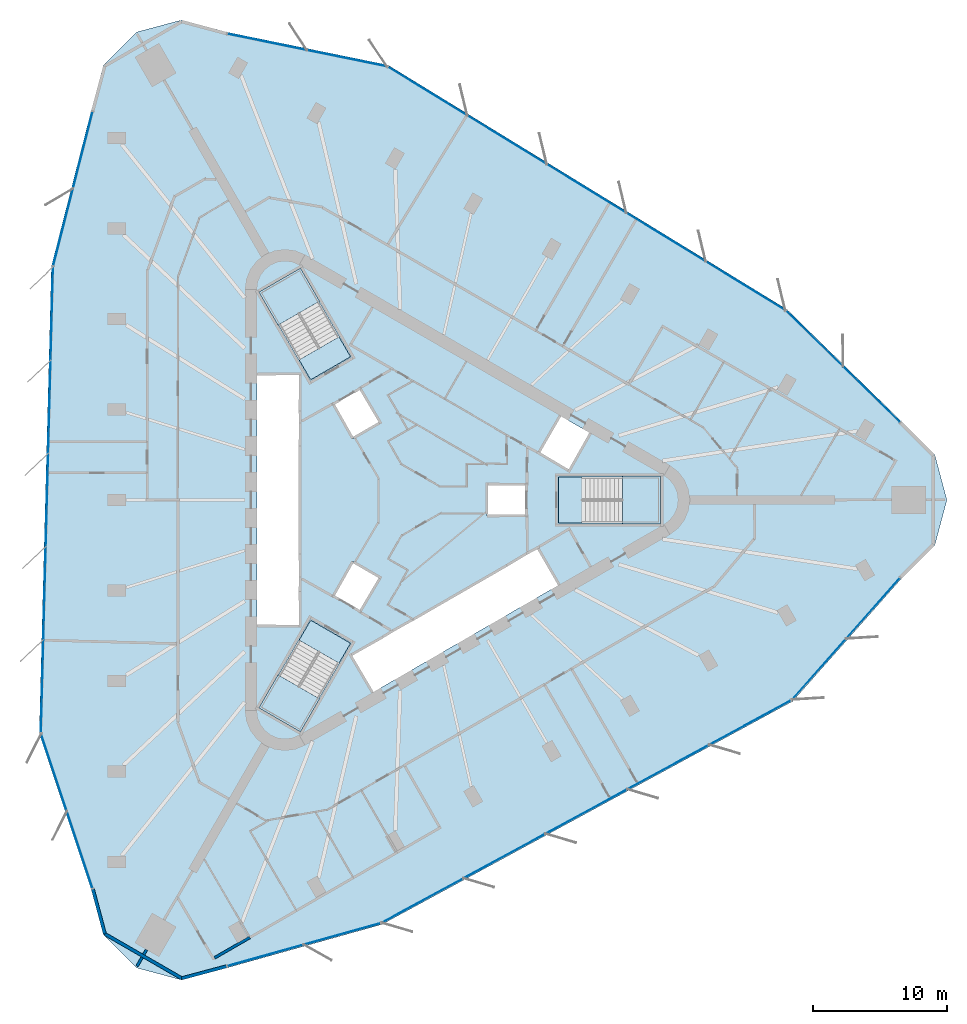
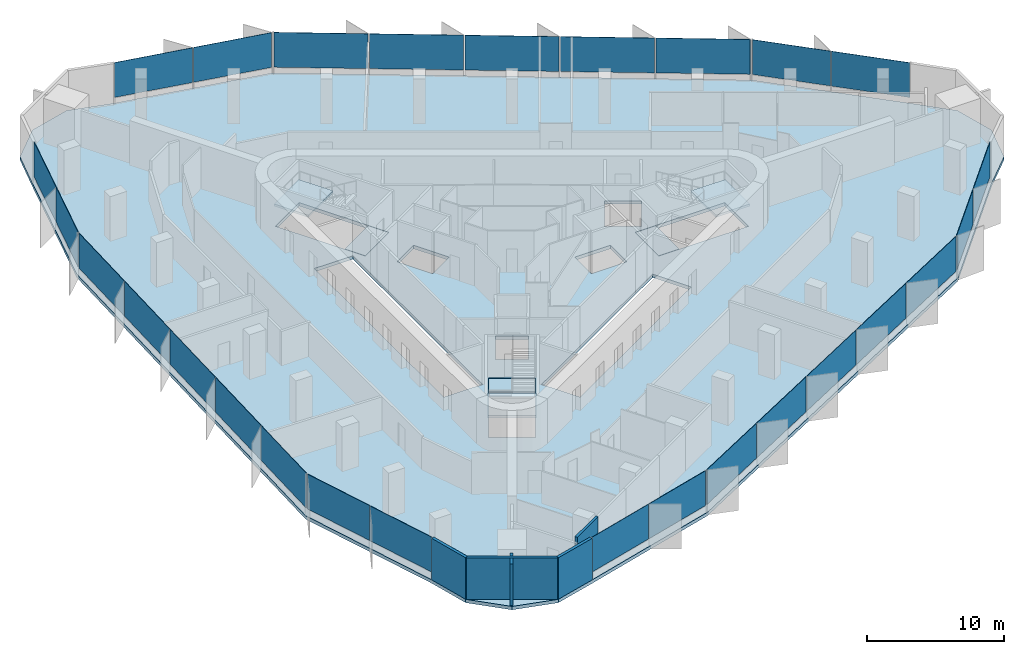
# One storey, part 7 of 14: 27 plates, 7 slabs, 6 walls, 12 elements without a shape of their own.
"""IFC4 building model written with IfcOpenShell, lengths in metres."""

from ifc_helpers import new_model, si_unit, direction, frame, frame_2d, origin, origin_2d, place, context, subcontext, project, spatial, polyline, rectangle, outline, extrude, material, layer, layer_set, type_object, element, aggregate, save


model = new_model("IFC4")

# Units and contexts
model_context = context("Model", 3, precision=1e-05, world=origin(), true_north=direction((0.0, 1.0)))
body_context = subcontext(model_context, "Body", "Model", "MODEL_VIEW")
ifc_project = project(units=[si_unit("LENGTHUNIT", "METRE"), si_unit("AREAUNIT", "SQUARE_METRE"), si_unit("VOLUMEUNIT", "CUBIC_METRE"), si_unit("PLANEANGLEUNIT", "RADIAN"), si_unit("MASSUNIT", "GRAM", prefix="KILO")], contexts=[model_context])

# Site, building, storey
site_placement = place(None, origin())
site = spatial("IfcSite", under=ifc_project, at=site_placement, CompositionType="ELEMENT")
building_placement = place(site_placement, origin())
building = spatial("IfcBuilding", under=site, at=building_placement, Name="Tanit Gate Tower", CompositionType="ELEMENT")
storey_placement = place(building_placement, frame((0.0, 0.0, 249.199951171875)))
storey = spatial("IfcBuildingStorey", under=building, at=storey_placement, Name="L56", CompositionType="ELEMENT", Elevation=249.199951171875)

# Slab
ifc_material_1 = material(Name="Concrete C35/45", Category="concrete")
ifc_layer_1 = layer(ifc_material_1, 0.300048828125)
ifc_layer_set_1 = layer_set([ifc_layer_1], Name="FLOOR SLAB 300 C35/45")
slab_type_1 = type_object("IfcSlabType", Name="FLOOR SLAB 300 C35/45", PredefinedType="FLOOR", material=ifc_layer_set_1)
slab_1_placement = place(storey_placement, frame((0.0, 0.0, -0.300048828125)))
element("IfcSlab", 1, at=slab_1_placement, inside=storey, type_object=slab_type_1, Name="FLOOR SLAB L56", PredefinedType="FLOOR", context=body_context, shape_type="SweptSolid", body=[
    extrude(outline(polyline([(37.03662109375, 5.860107421875), (39.51318359375, 3.38330078125), (40.419921875, 0.0), (39.51318359375, -3.38330078125), (37.03662109375, -5.860107421875), (28.885986328125, -15.05859375), (-1.855224609375, -31.760009765625), (-13.443115234375, -35.004638671875), (-16.826416015625, -35.9111328125), (-20.2099609375, -35.004638671875), (-22.686767578125, -32.52783203125), (-23.59326171875, -29.144287109375), (-27.484375, -17.48681640625), (-26.577392578125, 17.48681640625), (-23.59326171875, 29.144287109375), (-22.686767578125, 32.52783203125), (-20.2099609375, 35.004638671875), (-16.826416015625, 35.9111328125), (-13.443115234375, 35.004638671875), (-1.40185546875, 32.54541015625), (28.4326171875, 14.273193359375), (37.03662109375, 5.860107421875)]), holes=[polyline([(11.3701171875, 1.72998046875), (18.929931640625, 1.72998046875), (18.929931640625, -1.72998046875), (11.3701171875, -1.72998046875), (11.3701171875, 1.72998046875)]), polyline([(9.82080078125, 3.510009765625), (11.44580078125, 6.324462890625), (13.783935546875, 4.974609375), (12.158935546875, 2.159912109375), (9.82080078125, 3.510009765625)]), polyline([(-4.208984375, -11.60986328125), (9.82080078125, -3.510009765625), (11.44580078125, -6.324462890625), (-2.583984375, -14.424560546875), (-4.208984375, -11.60986328125)]), polyline([(6.0, 1.199951171875), (9.0, 1.199951171875), (9.0, -1.199951171875), (6.0, -1.199951171875), (6.0, 1.199951171875)]), polyline([(-5.539306640625, 7.194091796875), (-3.460693359375, 8.394287109375), (-1.960693359375, 5.796142578125), (-4.039306640625, 4.59619140625), (-5.539306640625, 7.194091796875)]), polyline([(-1.960693359375, -5.796142578125), (-3.460693359375, -8.394287109375), (-5.539306640625, -7.194091796875), (-4.039306640625, -4.59619140625), (-1.960693359375, -5.796142578125)]), polyline([(-10.963134765625, 15.52880859375), (-7.966796875, 17.2587890625), (-4.186767578125, 10.711669921875), (-7.18310546875, 8.981689453125), (-10.963134765625, 15.52880859375)]), polyline([(-4.186767578125, -10.711669921875), (-7.966796875, -17.2587890625), (-10.963134765625, -15.52880859375), (-7.18310546875, -8.981689453125), (-4.186767578125, -10.711669921875)]), polyline([(-11.199951171875, -9.449951171875), (-11.199951171875, 9.449951171875), (-7.949951171875, 9.449951171875), (-7.949951171875, -9.449951171875), (-11.199951171875, -9.449951171875)])]), origin(), (0.0, 0.0, 1.0), 0.300048828125),
])

# Curtain wall, plates
ifc_material_2 = material(Name="Aluminium bronze anodised and glass", Category="aluminium")
curtain_wall_type = type_object("IfcCurtainWallType", Name="Curtain wall typical mid", PredefinedType="NOTDEFINED", material=ifc_material_2)
curtain_wall_1_placement = place(storey_placement, origin())
curtain_wall_1 = element("IfcCurtainWall", 2, at=curtain_wall_1_placement, inside=storey, type_object=curtain_wall_type, Name="Curtain wall L56 NE1", PredefinedType="NOTDEFINED")
ifc_material_3 = material(Name="Glass tinted", Category="glass")
ifc_layer_2 = layer(ifc_material_3, 0.030029296875)
ifc_layer_set_2 = layer_set([ifc_layer_2], Name="Glass panel 30 typical mid")
plate_type = type_object("IfcPlateType", Name="Glass panel 30 typical mid", PredefinedType="CURTAIN_PANEL", material=ifc_layer_set_2)
plate_1_placement = place(storey_placement, frame((34.789306640625, 7.8896484375, 0.60009765625), z_axis=(0.0, 0.0, 1.0), x_axis=(-0.714989662126, 0.699135024907, 0.0)))
plate_1 = element("IfcPlate", 3, at=plate_1_placement, type_object=plate_type, Name="Glass panel L56 NE1.1", PredefinedType="CURTAIN_PANEL", context=body_context, shape_type="SweptSolid", body=[
    extrude(rectangle(XDim=5.8896484375, YDim=0.030029296875, at=origin_2d()), origin(), (0.0, 0.0, 1.0), 3.10009765625),
])
plate_2_placement = place(storey_placement, frame((30.52099609375, 12.063232421875, 0.60009765625), z_axis=(0.0, 0.0, 1.0), x_axis=(-0.714989662126, 0.699135024907, 0.0)))
plate_2 = element("IfcPlate", 4, at=plate_2_placement, type_object=plate_type, Name="Glass panel L56 NE1.2", PredefinedType="CURTAIN_PANEL", context=body_context, shape_type="SweptSolid", body=[
    extrude(rectangle(XDim=5.8896484375, YDim=0.030029296875, at=origin_2d()), origin(), (0.0, 0.0, 1.0), 3.10009765625),
])
aggregate(curtain_wall_1, [plate_1, plate_2])

curtain_wall_2_placement = place(storey_placement, origin())
curtain_wall_2 = element("IfcCurtainWall", 5, at=curtain_wall_2_placement, inside=storey, type_object=curtain_wall_type, Name="Curtain wall L56 NE2", PredefinedType="NOTDEFINED")
plate_3_placement = place(storey_placement, frame((25.3505859375, 16.020263671875, 0.60009765625), z_axis=(0.0, 0.0, 1.0), x_axis=(-0.852772356127, 0.522282786071, 0.0)))
plate_3 = element("IfcPlate", 6, at=plate_3_placement, type_object=plate_type, Name="Glass panel L56 NE2.1", PredefinedType="CURTAIN_PANEL", context=body_context, shape_type="SweptSolid", body=[
    extrude(rectangle(XDim=6.89404296875, YDim=0.030029296875, at=origin_2d()), origin(), (0.0, 0.0, 1.0), 3.10009765625),
])
plate_4_placement = place(storey_placement, frame((19.4033203125, 19.66259765625, 0.60009765625), z_axis=(0.0, 0.0, 1.0), x_axis=(-0.852772356127, 0.522282786071, 0.0)))
plate_4 = element("IfcPlate", 7, at=plate_4_placement, type_object=plate_type, Name="Glass panel L56 NE2.2", PredefinedType="CURTAIN_PANEL", context=body_context, shape_type="SweptSolid", body=[
    extrude(rectangle(XDim=6.89404296875, YDim=0.030029296875, at=origin_2d()), origin(), (0.0, 0.0, 1.0), 3.10009765625),
])
plate_5_placement = place(storey_placement, frame((13.455810546875, 23.304931640625, 0.60009765625), z_axis=(0.0, 0.0, 1.0), x_axis=(-0.852772356127, 0.522282786071, 0.0)))
plate_5 = element("IfcPlate", 8, at=plate_5_placement, type_object=plate_type, Name="Glass panel L56 NE2.3", PredefinedType="CURTAIN_PANEL", context=body_context, shape_type="SweptSolid", body=[
    extrude(rectangle(XDim=6.89404296875, YDim=0.030029296875, at=origin_2d()), origin(), (0.0, 0.0, 1.0), 3.10009765625),
])
plate_6_placement = place(storey_placement, frame((7.508544921875, 26.947509765625, 0.60009765625), z_axis=(0.0, 0.0, 1.0), x_axis=(-0.852772356127, 0.522282786071, 0.0)))
plate_6 = element("IfcPlate", 9, at=plate_6_placement, type_object=plate_type, Name="Glass panel L56 NE2.4", PredefinedType="CURTAIN_PANEL", context=body_context, shape_type="SweptSolid", body=[
    extrude(rectangle(XDim=6.89404296875, YDim=0.030029296875, at=origin_2d()), origin(), (0.0, 0.0, 1.0), 3.10009765625),
])
plate_7_placement = place(storey_placement, frame((1.561279296875, 30.58984375, 0.60009765625), z_axis=(0.0, 0.0, 1.0), x_axis=(-0.852772356127, 0.522282786071, 0.0)))
plate_7 = element("IfcPlate", 10, at=plate_7_placement, type_object=plate_type, Name="Glass panel L56 NE2.5", PredefinedType="CURTAIN_PANEL", context=body_context, shape_type="SweptSolid", body=[
    extrude(rectangle(XDim=6.89404296875, YDim=0.030029296875, at=origin_2d()), origin(), (0.0, 0.0, 1.0), 3.10009765625),
])
aggregate(curtain_wall_2, [plate_3, plate_4, plate_5, plate_6, plate_7])

curtain_wall_3_placement = place(storey_placement, origin())
curtain_wall_3 = element("IfcCurtainWall", 11, at=curtain_wall_3_placement, inside=storey, type_object=curtain_wall_type, Name="Curtain wall L56 NE3", PredefinedType="NOTDEFINED")
plate_8_placement = place(storey_placement, frame((-4.47216796875, 33.050048828125, 0.60009765625), z_axis=(0.0, 0.0, 1.0), x_axis=(-0.979775826836, 0.200098298711, 0.0)))
plate_8 = element("IfcPlate", 12, at=plate_8_placement, type_object=plate_type, Name="Glass panel L56 NE3.1", PredefinedType="CURTAIN_PANEL", context=body_context, shape_type="SweptSolid", body=[
    extrude(rectangle(XDim=6.01611328125, YDim=0.030029296875, at=origin_2d()), origin(), (0.0, 0.0, 1.0), 3.10009765625),
])
plate_9_placement = place(storey_placement, frame((-10.445068359375, 34.269775390625, 0.60009765625), z_axis=(0.0, 0.0, 1.0), x_axis=(-0.979775826836, 0.200098298711, 0.0)))
plate_9 = element("IfcPlate", 13, at=plate_9_placement, type_object=plate_type, Name="Glass panel L56 NE3.2", PredefinedType="CURTAIN_PANEL", context=body_context, shape_type="SweptSolid", body=[
    extrude(rectangle(XDim=6.016357421875, YDim=0.030029296875, at=origin_2d()), origin(), (0.0, 0.0, 1.0), 3.10009765625),
])
aggregate(curtain_wall_3, [plate_8, plate_9])

curtain_wall_4_placement = place(storey_placement, origin())
curtain_wall_4 = element("IfcCurtainWall", 14, at=curtain_wall_4_placement, inside=storey, type_object=curtain_wall_type, Name="Curtain wall L56 W1", PredefinedType="NOTDEFINED")
plate_10_placement = place(storey_placement, frame((-24.227294921875, 26.18359375, 0.60009765625), z_axis=(0.0, 0.0, 1.0), x_axis=(-0.247973861182, -0.968766723298, 0.0)))
plate_10 = element("IfcPlate", 15, at=plate_10_placement, type_object=plate_type, Name="Glass panel L56 W1.1", PredefinedType="CURTAIN_PANEL", context=body_context, shape_type="SweptSolid", body=[
    extrude(rectangle(XDim=5.8896484375, YDim=0.030029296875, at=origin_2d()), origin(), (0.0, 0.0, 1.0), 3.10009765625),
])
plate_11_placement = place(storey_placement, frame((-25.70751953125, 20.400390625, 0.60009765625), z_axis=(0.0, 0.0, 1.0), x_axis=(-0.247973861182, -0.968766723298, 0.0)))
plate_11 = element("IfcPlate", 16, at=plate_11_placement, type_object=plate_type, Name="Glass panel L56 W1.2", PredefinedType="CURTAIN_PANEL", context=body_context, shape_type="SweptSolid", body=[
    extrude(rectangle(XDim=5.8896484375, YDim=0.030029296875, at=origin_2d()), origin(), (0.0, 0.0, 1.0), 3.10009765625),
])
aggregate(curtain_wall_4, [plate_10, plate_11])

curtain_wall_5_placement = place(storey_placement, origin())
curtain_wall_5 = element("IfcCurtainWall", 17, at=curtain_wall_5_placement, inside=storey, type_object=curtain_wall_type, Name="Curtain wall L56 W2", PredefinedType="NOTDEFINED")
plate_12_placement = place(storey_placement, frame((-26.549072265625, 13.944091796875, 0.60009765625), z_axis=(0.0, 0.0, 1.0), x_axis=(-0.025923982634, -0.999663917086, 0.0)))
plate_12 = element("IfcPlate", 18, at=plate_12_placement, type_object=plate_type, Name="Glass panel L56 W2.1", PredefinedType="CURTAIN_PANEL", context=body_context, shape_type="SweptSolid", body=[
    extrude(rectangle(XDim=6.89404296875, YDim=0.030029296875, at=origin_2d()), origin(), (0.0, 0.0, 1.0), 3.10009765625),
])
plate_13_placement = place(storey_placement, frame((-26.72998046875, 6.972412109375, 0.60009765625), z_axis=(0.0, 0.0, 1.0), x_axis=(-0.025923982634, -0.999663917086, 0.0)))
plate_13 = element("IfcPlate", 19, at=plate_13_placement, type_object=plate_type, Name="Glass panel L56 W2.2", PredefinedType="CURTAIN_PANEL", context=body_context, shape_type="SweptSolid", body=[
    extrude(rectangle(XDim=6.89404296875, YDim=0.030029296875, at=origin_2d()), origin(), (0.0, 0.0, 1.0), 3.10009765625),
])
plate_14_placement = place(storey_placement, frame((-26.91064453125, 0.000732421875, 0.60009765625), z_axis=(0.0, 0.0, 1.0), x_axis=(-0.025923982634, -0.999663917086, 0.0)))
plate_14 = element("IfcPlate", 20, at=plate_14_placement, type_object=plate_type, Name="Glass panel L56 W2.3", PredefinedType="CURTAIN_PANEL", context=body_context, shape_type="SweptSolid", body=[
    extrude(rectangle(XDim=6.89404296875, YDim=0.030029296875, at=origin_2d()), origin(), (0.0, 0.0, 1.0), 3.10009765625),
])
plate_15_placement = place(storey_placement, frame((-27.091552734375, -6.97119140625, 0.60009765625), z_axis=(0.0, 0.0, 1.0), x_axis=(-0.025923982634, -0.999663917086, 0.0)))
plate_15 = element("IfcPlate", 21, at=plate_15_placement, type_object=plate_type, Name="Glass panel L56 W2.4", PredefinedType="CURTAIN_PANEL", context=body_context, shape_type="SweptSolid", body=[
    extrude(rectangle(XDim=6.89404296875, YDim=0.030029296875, at=origin_2d()), origin(), (0.0, 0.0, 1.0), 3.10009765625),
])
plate_16_placement = place(storey_placement, frame((-27.272216796875, -13.94287109375, 0.60009765625), z_axis=(0.0, 0.0, 1.0), x_axis=(-0.025923982634, -0.999663917086, 0.0)))
plate_16 = element("IfcPlate", 22, at=plate_16_placement, type_object=plate_type, Name="Glass panel L56 W2.5", PredefinedType="CURTAIN_PANEL", context=body_context, shape_type="SweptSolid", body=[
    extrude(rectangle(XDim=6.89404296875, YDim=0.030029296875, at=origin_2d()), origin(), (0.0, 0.0, 1.0), 3.10009765625),
])
aggregate(curtain_wall_5, [plate_12, plate_13, plate_14, plate_15, plate_16])

curtain_wall_6_placement = place(storey_placement, origin())
curtain_wall_6 = element("IfcCurtainWall", 23, at=curtain_wall_6_placement, inside=storey, type_object=curtain_wall_type, Name="Curtain wall L56 W3", PredefinedType="NOTDEFINED")
plate_17_placement = place(storey_placement, frame((-26.385986328125, -20.39794921875, 0.60009765625), z_axis=(0.0, 0.0, 1.0), x_axis=(0.31659770348, -0.94855990541, 0.0)))
plate_17 = element("IfcPlate", 24, at=plate_17_placement, type_object=plate_type, Name="Glass panel L56 W3.1", PredefinedType="CURTAIN_PANEL", context=body_context, shape_type="SweptSolid", body=[
    extrude(rectangle(XDim=6.01611328125, YDim=0.030029296875, at=origin_2d()), origin(), (0.0, 0.0, 1.0), 3.10009765625),
])
plate_18_placement = place(storey_placement, frame((-24.4560546875, -26.1806640625, 0.60009765625), z_axis=(0.0, 0.0, 1.0), x_axis=(0.31659770348, -0.94855990541, 0.0)))
plate_18 = element("IfcPlate", 25, at=plate_18_placement, type_object=plate_type, Name="Glass panel L56 W3.2", PredefinedType="CURTAIN_PANEL", context=body_context, shape_type="SweptSolid", body=[
    extrude(rectangle(XDim=6.016357421875, YDim=0.030029296875, at=origin_2d()), origin(), (0.0, 0.0, 1.0), 3.10009765625),
])
aggregate(curtain_wall_6, [plate_17, plate_18])

curtain_wall_7_placement = place(storey_placement, origin())
curtain_wall_7 = element("IfcCurtainWall", 26, at=curtain_wall_7_placement, inside=storey, type_object=curtain_wall_type, Name="Curtain wall L56 SE1", PredefinedType="NOTDEFINED")
plate_19_placement = place(storey_placement, frame((-10.56201171875, -34.0732421875, 0.60009765625), z_axis=(0.0, 0.0, 1.0), x_axis=(0.962963523309, 0.269631698391, 0.0)))
plate_19 = element("IfcPlate", 27, at=plate_19_placement, type_object=plate_type, Name="Glass panel L56 SE1.1", PredefinedType="CURTAIN_PANEL", context=body_context, shape_type="SweptSolid", body=[
    extrude(rectangle(XDim=5.8896484375, YDim=0.030029296875, at=origin_2d()), origin(), (0.0, 0.0, 1.0), 3.10009765625),
])
plate_20_placement = place(storey_placement, frame((-4.8134765625, -32.463623046875, 0.60009765625), z_axis=(0.0, 0.0, 1.0), x_axis=(0.962963523309, 0.269631698391, 0.0)))
plate_20 = element("IfcPlate", 28, at=plate_20_placement, type_object=plate_type, Name="Glass panel L56 SE1.2", PredefinedType="CURTAIN_PANEL", context=body_context, shape_type="SweptSolid", body=[
    extrude(rectangle(XDim=5.8896484375, YDim=0.030029296875, at=origin_2d()), origin(), (0.0, 0.0, 1.0), 3.10009765625),
])
aggregate(curtain_wall_7, [plate_19, plate_20])

curtain_wall_8_placement = place(storey_placement, origin())
curtain_wall_8 = element("IfcCurtainWall", 29, at=curtain_wall_8_placement, inside=storey, type_object=curtain_wall_type, Name="Curtain wall L56 SE2", PredefinedType="NOTDEFINED")
plate_21_placement = place(storey_placement, frame((1.198486328125, -29.96435546875, 0.60009765625), z_axis=(0.0, 0.0, 1.0), x_axis=(0.87869633876, 0.477381131015, 0.0)))
plate_21 = element("IfcPlate", 30, at=plate_21_placement, type_object=plate_type, Name="Glass panel L56 SE2.1", PredefinedType="CURTAIN_PANEL", context=body_context, shape_type="SweptSolid", body=[
    extrude(rectangle(XDim=6.89404296875, YDim=0.030029296875, at=origin_2d()), origin(), (0.0, 0.0, 1.0), 3.10009765625),
])
plate_22_placement = place(storey_placement, frame((7.32666015625, -26.635009765625, 0.60009765625), z_axis=(0.0, 0.0, 1.0), x_axis=(0.87869633876, 0.477381131015, 0.0)))
plate_22 = element("IfcPlate", 31, at=plate_22_placement, type_object=plate_type, Name="Glass panel L56 SE2.2", PredefinedType="CURTAIN_PANEL", context=body_context, shape_type="SweptSolid", body=[
    extrude(rectangle(XDim=6.89404296875, YDim=0.030029296875, at=origin_2d()), origin(), (0.0, 0.0, 1.0), 3.10009765625),
])
plate_23_placement = place(storey_placement, frame((13.454833984375, -23.3056640625, 0.60009765625), z_axis=(0.0, 0.0, 1.0), x_axis=(0.87869633876, 0.477381131015, 0.0)))
plate_23 = element("IfcPlate", 32, at=plate_23_placement, type_object=plate_type, Name="Glass panel L56 SE2.3", PredefinedType="CURTAIN_PANEL", context=body_context, shape_type="SweptSolid", body=[
    extrude(rectangle(XDim=6.89404296875, YDim=0.030029296875, at=origin_2d()), origin(), (0.0, 0.0, 1.0), 3.10009765625),
])
plate_24_placement = place(storey_placement, frame((19.5830078125, -19.976318359375, 0.60009765625), z_axis=(0.0, 0.0, 1.0), x_axis=(0.87869633876, 0.477381131015, 0.0)))
plate_24 = element("IfcPlate", 33, at=plate_24_placement, type_object=plate_type, Name="Glass panel L56 SE2.4", PredefinedType="CURTAIN_PANEL", context=body_context, shape_type="SweptSolid", body=[
    extrude(rectangle(XDim=6.89404296875, YDim=0.030029296875, at=origin_2d()), origin(), (0.0, 0.0, 1.0), 3.10009765625),
])
plate_25_placement = place(storey_placement, frame((25.7109375, -16.647216796875, 0.60009765625), z_axis=(0.0, 0.0, 1.0), x_axis=(0.87869633876, 0.477381131015, 0.0)))
plate_25 = element("IfcPlate", 34, at=plate_25_placement, type_object=plate_type, Name="Glass panel L56 SE2.5", PredefinedType="CURTAIN_PANEL", context=body_context, shape_type="SweptSolid", body=[
    extrude(rectangle(XDim=6.89404296875, YDim=0.030029296875, at=origin_2d()), origin(), (0.0, 0.0, 1.0), 3.10009765625),
])
aggregate(curtain_wall_8, [plate_21, plate_22, plate_23, plate_24, plate_25])

curtain_wall_9_placement = place(storey_placement, origin())
curtain_wall_9 = element("IfcCurtainWall", 35, at=curtain_wall_9_placement, inside=storey, type_object=curtain_wall_type, Name="Curtain wall L56 SE3", PredefinedType="NOTDEFINED")
plate_26_placement = place(storey_placement, frame((30.858154296875, -12.652099609375, 0.60009765625), z_axis=(0.0, 0.0, 1.0), x_axis=(0.663178123356, 0.748461606698, 0.0)))
plate_26 = element("IfcPlate", 36, at=plate_26_placement, type_object=plate_type, Name="Glass panel L56 SE3.1", PredefinedType="CURTAIN_PANEL", context=body_context, shape_type="SweptSolid", body=[
    extrude(rectangle(XDim=6.01611328125, YDim=0.030029296875, at=origin_2d()), origin(), (0.0, 0.0, 1.0), 3.10009765625),
])
plate_27_placement = place(storey_placement, frame((34.901123046875, -8.089111328125, 0.60009765625), z_axis=(0.0, 0.0, 1.0), x_axis=(0.663178123356, 0.748461606698, 0.0)))
plate_27 = element("IfcPlate", 37, at=plate_27_placement, type_object=plate_type, Name="Glass panel L56 SE3.2", PredefinedType="CURTAIN_PANEL", context=body_context, shape_type="SweptSolid", body=[
    extrude(rectangle(XDim=6.016357421875, YDim=0.030029296875, at=origin_2d()), origin(), (0.0, 0.0, 1.0), 3.10009765625),
])
aggregate(curtain_wall_9, [plate_26, plate_27])

# Stair, slab
ifc_material_4 = material(Name="Concrete C40/50", Category="concrete")
stair_type = type_object("IfcStairType", Name="INT-STAIR-EXIT", PredefinedType="HALF_TURN_STAIR", material=ifc_material_4)
stair_1_placement = place(storey_placement, origin())
stair_1 = element("IfcStair", 38, at=stair_1_placement, inside=storey, type_object=stair_type, Name="L56 STAIR S1", PredefinedType="HALF_TURN_STAIR")
ifc_material_5 = material(Name="Concrete C40/50", Category="concrete")
ifc_layer_3 = layer(ifc_material_5, 0.199951171875)
ifc_layer_set_3 = layer_set([ifc_layer_3], Name="INT-STAIR-LANDING")
slab_type_2 = type_object("IfcSlabType", Name="INT-STAIR-LANDING", PredefinedType="LANDING", material=ifc_layer_set_3)
slab_2_placement = place(storey_placement, frame((0.0, 0.0, 1.800048828125)))
slab_2 = element("IfcSlab", 39, at=slab_2_placement, type_object=slab_type_2, Name="S1 landing 1", PredefinedType="LANDING", context=body_context, shape_type="SweptSolid", body=[
    extrude(outline(polyline([(16.135986328125, -1.800048828125), (19.0, -1.800048828125), (19.0, 1.800048828125), (16.135986328125, 1.800048828125), (16.135986328125, -1.800048828125)])), origin(), (0.0, 0.0, 1.0), 0.199951171875),
])
aggregate(stair_1, [slab_2])

# Slab
slab_3_placement = place(storey_placement, frame((0.0, 0.0, -0.199951171875)))
element("IfcSlab", 40, at=slab_3_placement, inside=storey, type_object=slab_type_2, Name="S1 floor landing", PredefinedType="LANDING", context=body_context, shape_type="SweptSolid", body=[
    extrude(outline(polyline([(11.3798828125, -1.719970703125), (13.10498046875, -1.719970703125), (13.10498046875, 1.719970703125), (11.3798828125, 1.719970703125), (11.3798828125, -1.719970703125)])), origin(), (0.0, 0.0, 1.0), 0.199951171875),
])

# Stair, slab
stair_2_placement = place(storey_placement, origin())
stair_2 = element("IfcStair", 41, at=stair_2_placement, inside=storey, type_object=stair_type, Name="L56 STAIR S2", PredefinedType="HALF_TURN_STAIR")
slab_4_placement = place(storey_placement, frame((0.0, 0.0, 1.800048828125)))
slab_4 = element("IfcSlab", 42, at=slab_4_placement, type_object=slab_type_2, Name="S2 landing 1", PredefinedType="LANDING", context=body_context, shape_type="SweptSolid", body=[
    extrude(outline(polyline([(-6.5078125, 14.871826171875), (-7.941162109375, 17.3544921875), (-11.058837890625, 15.554443359375), (-9.62548828125, 13.07177734375), (-6.5078125, 14.871826171875)])), origin(), (0.0, 0.0, 1.0), 0.199951171875),
])
aggregate(stair_2, [slab_4])

# Slab
slab_5_placement = place(storey_placement, frame((0.0, 0.0, -0.199951171875)))
element("IfcSlab", 43, at=slab_5_placement, inside=storey, type_object=slab_type_2, Name="S2 floor landing", PredefinedType="LANDING", context=body_context, shape_type="SweptSolid", body=[
    extrude(outline(polyline([(-4.200439453125, 10.71533203125), (-5.0625, 12.20849609375), (-8.04150390625, 10.48828125), (-7.179443359375, 8.995361328125), (-4.200439453125, 10.71533203125)])), origin(), (0.0, 0.0, 1.0), 0.199951171875),
])

# Stair, slab
stair_3_placement = place(storey_placement, origin())
stair_3 = element("IfcStair", 44, at=stair_3_placement, inside=storey, type_object=stair_type, Name="L56 STAIR S3", PredefinedType="HALF_TURN_STAIR")
slab_6_placement = place(storey_placement, frame((0.0, 0.0, 1.800048828125)))
slab_6 = element("IfcSlab", 45, at=slab_6_placement, type_object=slab_type_2, Name="S3 landing 1", PredefinedType="LANDING", context=body_context, shape_type="SweptSolid", body=[
    extrude(outline(polyline([(-9.626953125, -13.07421875), (-11.058837890625, -15.554443359375), (-7.941162109375, -17.3544921875), (-6.509033203125, -14.874267578125), (-9.626953125, -13.07421875)])), origin(), (0.0, 0.0, 1.0), 0.199951171875),
])
aggregate(stair_3, [slab_6])

# Slab
slab_7_placement = place(storey_placement, frame((0.0, 0.0, -0.199951171875)))
element("IfcSlab", 46, at=slab_7_placement, inside=storey, type_object=slab_type_2, Name="S3 floor landing", PredefinedType="LANDING", context=body_context, shape_type="SweptSolid", body=[
    extrude(outline(polyline([(-7.179443359375, -8.995361328125), (-8.0419921875, -10.4892578125), (-5.06298828125, -12.209228515625), (-4.200439453125, -10.71533203125), (-7.179443359375, -8.995361328125)])), origin(), (0.0, 0.0, 1.0), 0.199951171875),
])

# Walls
ifc_material_6 = material(Name="Concrete C30/37 with bronze anodised aluminium cladding", Category="concrete")
ifc_layer_4 = layer(ifc_material_6, 0.239990234375)
ifc_layer_set_4 = layer_set([ifc_layer_4], Name="Facade wall bronze clad 240")
wall_type_1 = type_object("IfcWallType", Name="Facade wall bronze clad 240", PredefinedType="SOLIDWALL", material=ifc_layer_set_4)
wall_1_placement = place(storey_placement, frame((-23.478271484375, -29.10986328125, 0.0), z_axis=(0.0, 0.0, 1.0), x_axis=(0.258821559604, -0.965925152527, 0.0)))
element("IfcWall", 47, at=wall_1_placement, inside=storey, type_object=wall_type_1, Name="Bronze-clad facade wall L56 SW.arc1", PredefinedType="SOLIDWALL", context=body_context, shape_type="SweptSolid", body=[
    extrude(rectangle(XDim=3.47412109375, YDim=0.239990234375, at=frame_2d((1.737060546875, 0.0))), origin(), (0.0, 0.0, 1.0), 3.699951171875),
])
wall_2_placement = place(storey_placement, frame((-22.5791015625, -32.465576171875, 0.0), z_axis=(0.0, 0.0, 1.0), x_axis=(0.866017876419, -0.500013037552, 0.0)))
element("IfcWall", 48, at=wall_2_placement, inside=storey, type_object=wall_type_1, Name="Bronze-clad facade wall L56 SW.arc2", PredefinedType="SOLIDWALL", context=body_context, shape_type="SweptSolid", body=[
    extrude(rectangle(XDim=6.642333984375, YDim=0.239990234375, at=frame_2d((3.3212890625, 0.0))), origin(), (0.0, 0.0, 1.0), 3.699951171875),
])
wall_3_placement = place(storey_placement, frame((-16.82666015625, -35.786865234375, 0.0), z_axis=(0.0, 0.0, 1.0), x_axis=(0.96593768865, 0.258774770111, 0.0)))
element("IfcWall", 49, at=wall_3_placement, inside=storey, type_object=wall_type_1, Name="Bronze-clad facade wall L56 SW.arc3", PredefinedType="SOLIDWALL", context=body_context, shape_type="SweptSolid", body=[
    extrude(rectangle(XDim=3.469970703125, YDim=0.239990234375, at=frame_2d((1.73486328125, 0.0))), origin(), (0.0, 0.0, 1.0), 3.699951171875),
])
ifc_material_7 = material(Name="Fire-rated gypsum board partition")
ifc_layer_5 = layer(ifc_material_7, 0.199951171875)
ifc_layer_set_5 = layer_set([ifc_layer_5], Name="INT-WALL-COMPARTMENT")
wall_type_2 = type_object("IfcWallType", Name="INT-WALL-COMPARTMENT", PredefinedType="PARTITIONING", material=ifc_layer_set_5)
wall_4_placement = place(storey_placement, frame((-20.169677734375, -34.875, 0.0), z_axis=(0.0, 0.0, 1.0), x_axis=(0.499999897272, 0.866025463095, 0.0)))
element("IfcWall", 50, at=wall_4_placement, inside=storey, type_object=wall_type_2, Name="Wall Compartment W126", PredefinedType="PARTITIONING", context=body_context, shape_type="SweptSolid", body=[
    extrude(rectangle(XDim=0.76171875, YDim=0.199951171875, at=frame_2d((0.380859375, 0.0))), origin(), (0.0, 0.0, 1.0), 3.699951171875),
])
wall_5_placement = place(storey_placement, frame((-19.668701171875, -34.00732421875, 0.0), z_axis=(0.0, 0.0, 1.0), x_axis=(0.499739399214, 0.866175809448, 0.0)))
element("IfcWall", 51, at=wall_5_placement, inside=storey, type_object=wall_type_2, Name="Wall Compartment W126x1", PredefinedType="PARTITIONING", context=body_context, shape_type="SweptSolid", body=[
    extrude(rectangle(XDim=0.415771484375, YDim=0.199951171875, at=frame_2d((0.2080078125, 0.0))), origin(), (0.0, 0.0, 1.0), 3.699951171875),
])
wall_6_placement = place(storey_placement, frame((-11.729248046875, -32.7294921875, 0.0), z_axis=(0.0, 0.0, 1.0), x_axis=(-0.866009774538, -0.500027069672, 0.0)))
element("IfcWall", 52, at=wall_6_placement, inside=storey, type_object=wall_type_2, Name="Wall Compartment W151", PredefinedType="PARTITIONING", context=body_context, shape_type="SweptSolid", body=[
    extrude(rectangle(XDim=3.052490234375, YDim=0.199951171875, at=frame_2d((1.5263671875, 0.0))), origin(), (0.0, 0.0, 1.0), 3.699951171875),
])

save(model, "model.ifc")
